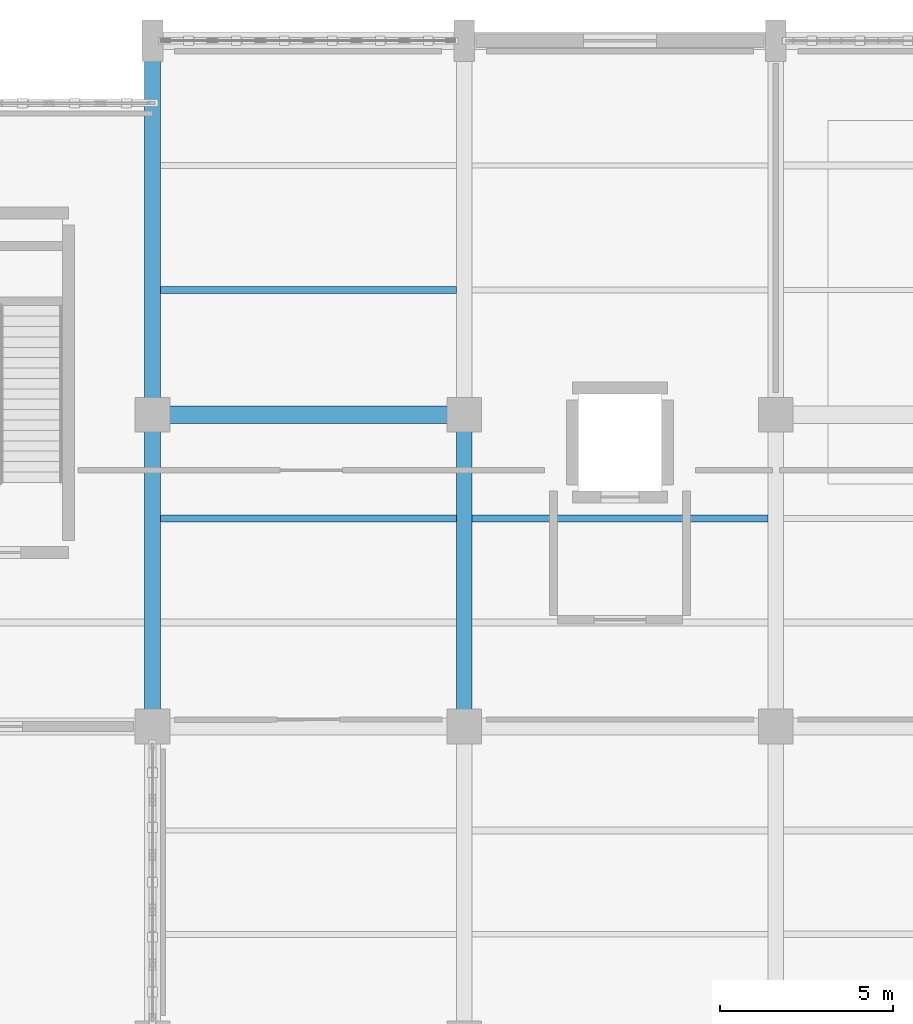
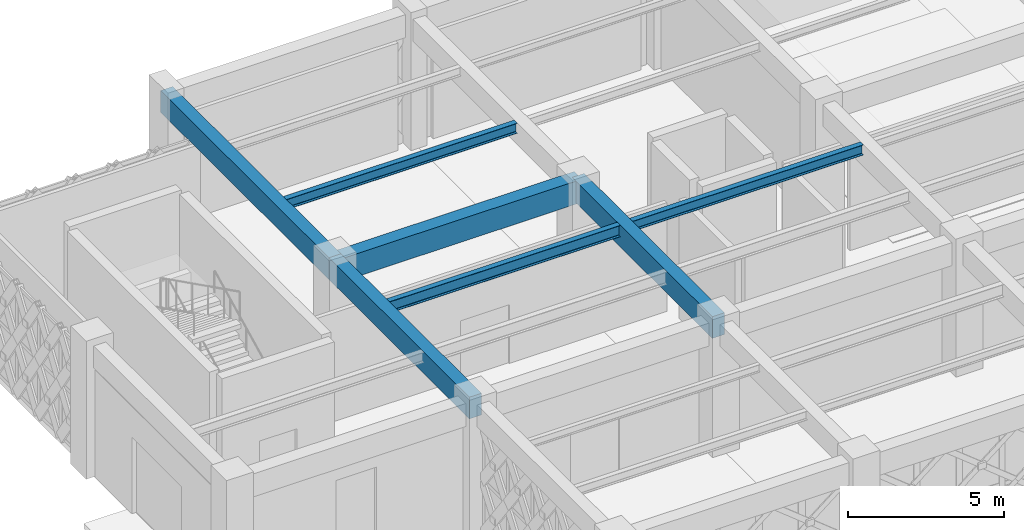
# One storey, part 67 of 140: 7 beams.
"""IFC4 building model written with IfcOpenShell, lengths in metres."""

from ifc_helpers import new_model, si_unit, direction, frame, origin, origin_2d, place, context, subcontext, project, spatial, rectangle, i_section, extrude, material, material_profile, profile_set, type_object, element, save


model = new_model("IFC4")

# Units and contexts
model_context = context("Model", 3, precision=1e-05, world=origin(), true_north=direction((0.0, 1.0)))
body_context = subcontext(model_context, "Body", "Model", "MODEL_VIEW")
ifc_project = project(units=[si_unit("LENGTHUNIT", "METRE"), si_unit("AREAUNIT", "SQUARE_METRE"), si_unit("VOLUMEUNIT", "CUBIC_METRE"), si_unit("PLANEANGLEUNIT", "RADIAN"), si_unit("MASSUNIT", "GRAM", prefix="KILO")], contexts=[model_context])

# Site, building, storey
site_placement = place(None, origin())
site = spatial("IfcSite", under=ifc_project, at=site_placement, CompositionType="ELEMENT")
building_placement = place(site_placement, origin())
building = spatial("IfcBuilding", under=site, at=building_placement, Name="Haizhuo Lancet Aquarium", CompositionType="ELEMENT")
storey_placement = place(building_placement, origin())
storey = spatial("IfcBuildingStorey", under=building, at=storey_placement, Name="L00", CompositionType="ELEMENT", Elevation=0.0)

# Beams
ifc_material_1 = material(Name="Concrete C40/50", Category="concrete")
ifc_material_profile_1 = material_profile(ifc_material_1, rectangle(XDim=0.449951171875, YDim=0.85009765625, at=origin_2d()), Name="RC-BM 450x850")
ifc_profile_set_1 = profile_set([ifc_material_profile_1], Name="Concrete C40/50")
beam_type_1 = type_object("IfcBeamType", Name="BM-RC-450x850", PredefinedType="BEAM", material=ifc_profile_set_1)
beam_1_placement = place(storey_placement, frame((-18.0, 36.0, 4.695068359375), z_axis=(0.0, 1.0, 0.0), x_axis=(-1.0, 0.0, 0.0)))
element("IfcBeam", 1, at=beam_1_placement, inside=storey, type_object=beam_type_1, Name="L00 V5 primary girder BM-L00-V5-005", PredefinedType="BEAM", context=body_context, shape_type="SweptSolid", body=[
    extrude(rectangle(XDim=0.449951171875, YDim=0.85009765625, at=origin_2d()), origin(), (0.0, 0.0, 1.0), 9.0),
])
beam_2_placement = place(storey_placement, frame((-18.0, 45.0, 4.695068359375), z_axis=(0.0, 1.0, 0.0), x_axis=(-1.0, 0.0, 0.0)))
element("IfcBeam", 2, at=beam_2_placement, inside=storey, type_object=beam_type_1, Name="L00 V5 primary girder BM-L00-V5-007", PredefinedType="BEAM", context=body_context, shape_type="SweptSolid", body=[
    extrude(rectangle(XDim=0.449951171875, YDim=0.85009765625, at=origin_2d()), origin(), (0.0, 0.0, 1.0), 10.800048828125),
])
beam_3_placement = place(storey_placement, frame((-9.0, 36.0, 4.695068359375), z_axis=(0.0, 1.0, 0.0), x_axis=(-1.0, 0.0, 0.0)))
element("IfcBeam", 3, at=beam_3_placement, inside=storey, type_object=beam_type_1, Name="L00 V5 primary girder BM-L00-V5-012", PredefinedType="BEAM", context=body_context, shape_type="SweptSolid", body=[
    extrude(rectangle(XDim=0.449951171875, YDim=0.85009765625, at=origin_2d()), origin(), (0.0, 0.0, 1.0), 9.0),
])
ifc_material_profile_2 = material_profile(ifc_material_1, rectangle(XDim=0.5, YDim=0.89990234375, at=origin_2d()), Name="RC-BM 500x900")
ifc_profile_set_2 = profile_set([ifc_material_profile_2], Name="Concrete C40/50")
beam_type_2 = type_object("IfcBeamType", Name="BM-RC-500x900", PredefinedType="BEAM", material=ifc_profile_set_2)
beam_4_placement = place(storey_placement, frame((-18.0, 45.0, 4.669921875), z_axis=(1.0, 0.0, 0.0), x_axis=(0.0, 1.0, 0.0)))
element("IfcBeam", 4, at=beam_4_placement, inside=storey, type_object=beam_type_2, Name="L00 V5 primary girder BM-L00-V5-008", PredefinedType="BEAM", context=body_context, shape_type="SweptSolid", body=[
    extrude(rectangle(XDim=0.5, YDim=0.89990234375, at=origin_2d()), origin(), (0.0, 0.0, 1.0), 9.0),
])
ifc_material_2 = material(Name="Steel S355", Category="steel")
ifc_material_profile_3 = material_profile(ifc_material_2, i_section(OverallWidth=0.199951171875, OverallDepth=0.39990234375, WebThickness=0.008056640625, FlangeThickness=0.012939453125, FilletRadius=0.01611328125, at=origin_2d()), Name="HN 400x200x8x13")
ifc_profile_set_3 = profile_set([ifc_material_profile_3], Name="Steel S355")
beam_type_3 = type_object("IfcBeamType", Name="JST-ST-HN400", PredefinedType="JOIST", material=ifc_profile_set_3)
for number, where, z_axis, x_axis, name in (
    (5, (-17.77490234375, 48.60009765625, 4.919921875), (1.0, 0.0, 0.0), (0.0, 1.0, 0.0), "L00 V5 secondary floor joist 6"),
    (6, (-8.77490234375, 42.0, 4.919921875), (1.0, 0.0, 0.0), (0.0, 1.0, 0.0), "L00 V5 secondary floor joist 11"),
):
    element("IfcBeam", number, at=place(storey_placement, frame(where, z_axis=z_axis, x_axis=x_axis)), inside=storey, type_object=beam_type_3, Name=name, PredefinedType="JOIST", context=body_context, shape_type="SweptSolid", body=[
        extrude(i_section(OverallWidth=0.199951171875, OverallDepth=0.39990234375, WebThickness=0.008056640625, FlangeThickness=0.012939453125, FilletRadius=0.01611328125, at=origin_2d()), origin(), (0.0, 0.0, 1.0), 8.5498046875),
    ])
ifc_material_profile_4 = material_profile(ifc_material_2, i_section(OverallWidth=0.199951171875, OverallDepth=0.449951171875, WebThickness=0.009033203125, FlangeThickness=0.013916015625, FilletRadius=0.01806640625, at=origin_2d()), Name="HN 450x200x9x14")
ifc_profile_set_4 = profile_set([ifc_material_profile_4], Name="Steel S355")
beam_type_4 = type_object("IfcBeamType", Name="JST-ST-HN450", PredefinedType="JOIST", material=ifc_profile_set_4)
beam_5_placement = place(storey_placement, frame((-17.77490234375, 42.0, 4.89501953125), z_axis=(1.0, 0.0, 0.0), x_axis=(0.0, 1.0, 0.0)))
element("IfcBeam", 7, at=beam_5_placement, inside=storey, type_object=beam_type_4, Name="L00 V5 secondary floor joist 5", PredefinedType="JOIST", context=body_context, shape_type="SweptSolid", body=[
    extrude(i_section(OverallWidth=0.199951171875, OverallDepth=0.449951171875, WebThickness=0.009033203125, FlangeThickness=0.013916015625, FilletRadius=0.01806640625, at=origin_2d()), origin(), (0.0, 0.0, 1.0), 8.5498046875),
])

save(model, "model.ifc")
